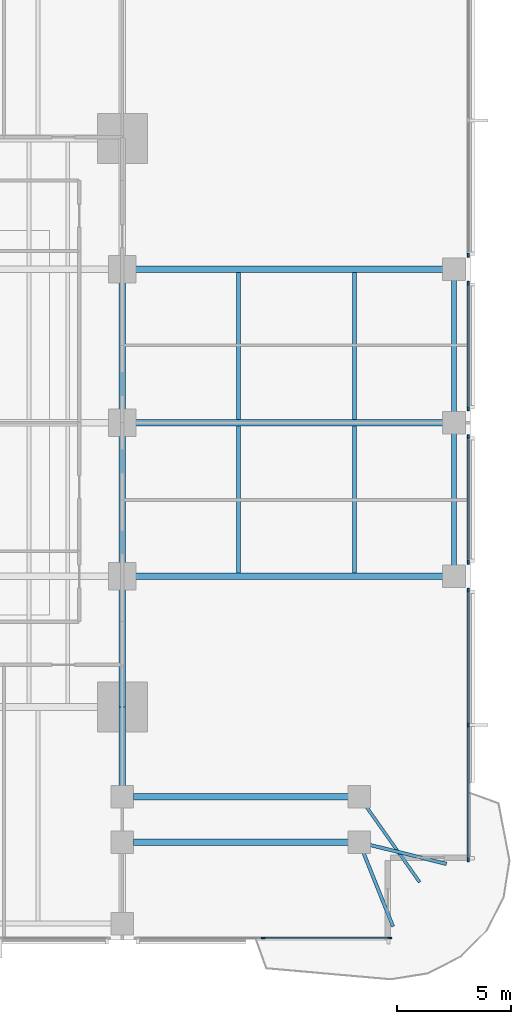
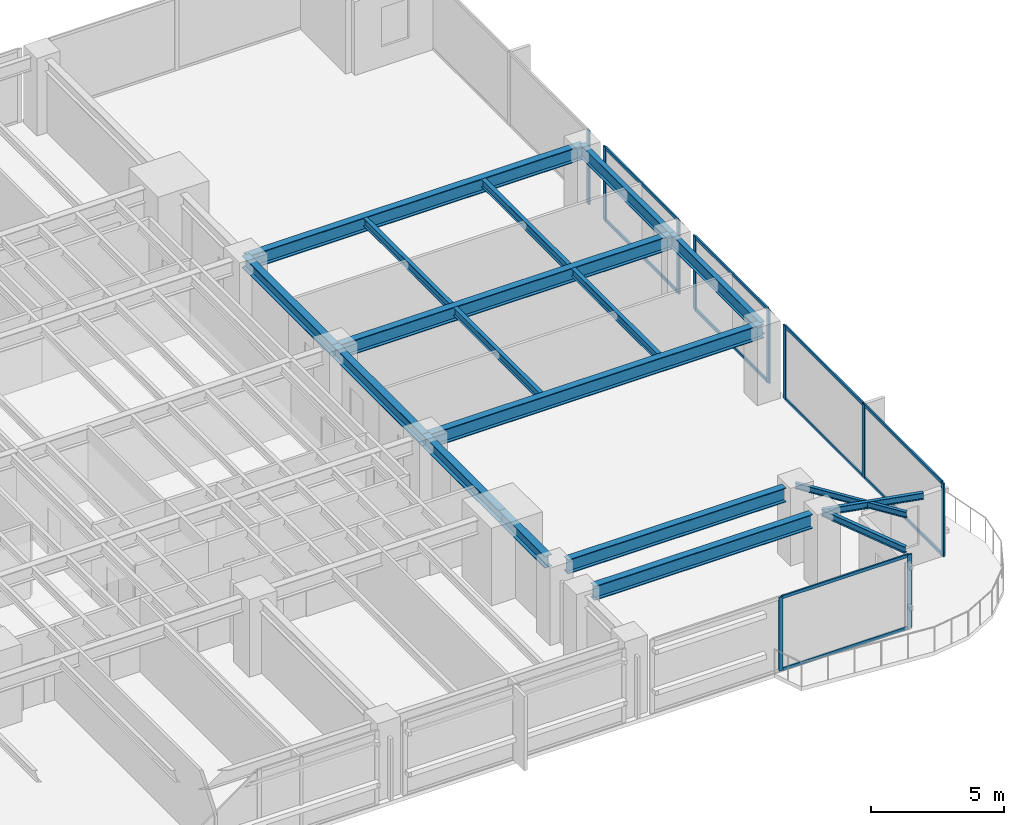
# One storey, part 4 of 15: 20 members, 18 beams, 5 elements without a shape of their own.
"""IFC4 building model written with IfcOpenShell, lengths in metres."""

from ifc_helpers import new_model, si_unit, direction, frame, origin, origin_2d, place, context, subcontext, project, spatial, rectangle, i_section, extrude, material, layer, layer_set, material_profile, profile_set, type_object, element, aggregate, save


model = new_model("IFC4")

# Units and contexts
model_context = context("Model", 3, precision=1e-05, world=origin(), true_north=direction((0.0, 1.0)))
body_context = subcontext(model_context, "Body", "Model", "MODEL_VIEW")
ifc_project = project(units=[si_unit("LENGTHUNIT", "METRE"), si_unit("AREAUNIT", "SQUARE_METRE"), si_unit("VOLUMEUNIT", "CUBIC_METRE"), si_unit("PLANEANGLEUNIT", "RADIAN"), si_unit("MASSUNIT", "GRAM", prefix="KILO")], contexts=[model_context])

# Site, building, storey
site_placement = place(None, origin())
site = spatial("IfcSite", under=ifc_project, at=site_placement, CompositionType="ELEMENT")
building_placement = place(site_placement, origin())
building = spatial("IfcBuilding", under=site, at=building_placement, Name="Kinhvarn Gate Tower", CompositionType="ELEMENT")
storey_placement = place(building_placement, frame((0.0, 0.0, 57.550048828125)))
storey = spatial("IfcBuildingStorey", under=building, at=storey_placement, Name="L14", CompositionType="ELEMENT", Elevation=57.550048828125)

# Curtain wall, members
ifc_material_1 = material(Name="Anodised aluminium AW-6063", Category="aluminium")
ifc_layer = layer(ifc_material_1, 0.179931640625)
ifc_layer_set = layer_set([ifc_layer], Name="Anodised aluminium AW-6063")
curtain_wall_type = type_object("IfcCurtainWallType", Name="CW-SYS-2", PredefinedType="NOTDEFINED", material=ifc_layer_set)
curtain_wall_1_placement = place(storey_placement, origin())
curtain_wall_1 = element("IfcCurtainWall", 1, at=curtain_wall_1_placement, inside=storey, type_object=curtain_wall_type, Name="Curtain Wall CW2 (L14)", PredefinedType="NOTDEFINED")
ifc_material_profile_1 = material_profile(ifc_material_1, rectangle(XDim=0.070068359375, YDim=0.179931640625, at=origin_2d()), Name="ALU 70x180")
ifc_profile_set_1 = profile_set([ifc_material_profile_1], Name="Anodised aluminium AW-6063")
member_type_1 = type_object("IfcMemberType", Name="CW-MUL-180", PredefinedType="MULLION", material=ifc_profile_set_1)
member_1_placement = place(storey_placement, frame((44.389892578125, 2.590087890625, 0.0), z_axis=(0.0, 0.0, 1.0), x_axis=(0.0, 1.0, 0.0)))
member_1 = element("IfcMember", 2, at=member_1_placement, type_object=member_type_1, Name="CW2 mullion 2", PredefinedType="MULLION", context=body_context, shape_type="SweptSolid", body=[
    extrude(rectangle(XDim=0.070068359375, YDim=0.179931640625, at=origin_2d()), origin(), (0.0, 0.0, 1.0), 3.369873046875),
])
member_2_placement = place(storey_placement, frame((49.965087890625, 2.590087890625, 0.0), z_axis=(0.0, 0.0, 1.0), x_axis=(0.0, 1.0, 0.0)))
member_2 = element("IfcMember", 3, at=member_2_placement, type_object=member_type_1, Name="CW2 mullion 3", PredefinedType="MULLION", context=body_context, shape_type="SweptSolid", body=[
    extrude(rectangle(XDim=0.070068359375, YDim=0.179931640625, at=origin_2d()), origin(), (0.0, 0.0, 1.0), 3.369873046875),
])

curtain_wall_2_placement = place(storey_placement, origin())
curtain_wall_2 = element("IfcCurtainWall", 4, at=curtain_wall_2_placement, inside=storey, type_object=curtain_wall_type, Name="Curtain Wall CW2 (L14)", PredefinedType="NOTDEFINED")
member_3_placement = place(storey_placement, frame((53.409912109375, 6.034912109375, 0.0), z_axis=(0.0, 0.0, 1.0), x_axis=(-1.0, 0.0, 0.0)))
member_3 = element("IfcMember", 5, at=member_3_placement, type_object=member_type_1, Name="CW2 mullion 1", PredefinedType="MULLION", context=body_context, shape_type="SweptSolid", body=[
    extrude(rectangle(XDim=0.070068359375, YDim=0.179931640625, at=origin_2d()), origin(), (0.0, 0.0, 1.0), 3.369873046875),
])
member_4_placement = place(storey_placement, frame((53.409912109375, 11.9599609375, 0.0), z_axis=(0.0, 0.0, 1.0), x_axis=(-1.0, 0.0, 0.0)))
member_4 = element("IfcMember", 6, at=member_4_placement, type_object=member_type_1, Name="CW2 mullion 2", PredefinedType="MULLION", context=body_context, shape_type="SweptSolid", body=[
    extrude(rectangle(XDim=0.070068359375, YDim=0.179931640625, at=origin_2d()), origin(), (0.0, 0.0, 1.0), 3.369873046875),
])
member_5_placement = place(storey_placement, frame((53.409912109375, 17.885009765625, 0.0), z_axis=(0.0, 0.0, 1.0), x_axis=(-1.0, 0.0, 0.0)))
member_5 = element("IfcMember", 7, at=member_5_placement, type_object=member_type_1, Name="CW2 mullion 3", PredefinedType="MULLION", context=body_context, shape_type="SweptSolid", body=[
    extrude(rectangle(XDim=0.070068359375, YDim=0.179931640625, at=origin_2d()), origin(), (0.0, 0.0, 1.0), 3.369873046875),
])

curtain_wall_3_placement = place(storey_placement, origin())
curtain_wall_3 = element("IfcCurtainWall", 8, at=curtain_wall_3_placement, inside=storey, type_object=curtain_wall_type, Name="Curtain Wall CW2 (L14)", PredefinedType="NOTDEFINED")
member_6_placement = place(storey_placement, frame((53.409912109375, 19.114990234375, 0.0), z_axis=(0.0, 0.0, 1.0), x_axis=(-1.0, 0.0, 0.0)))
member_6 = element("IfcMember", 9, at=member_6_placement, type_object=member_type_1, Name="CW2 mullion 1", PredefinedType="MULLION", context=body_context, shape_type="SweptSolid", body=[
    extrude(rectangle(XDim=0.070068359375, YDim=0.179931640625, at=origin_2d()), origin(), (0.0, 0.0, 1.0), 3.369873046875),
])
member_7_placement = place(storey_placement, frame((53.409912109375, 24.635009765625, 0.0), z_axis=(0.0, 0.0, 1.0), x_axis=(-1.0, 0.0, 0.0)))
member_7 = element("IfcMember", 10, at=member_7_placement, type_object=member_type_1, Name="CW2 mullion 2", PredefinedType="MULLION", context=body_context, shape_type="SweptSolid", body=[
    extrude(rectangle(XDim=0.070068359375, YDim=0.179931640625, at=origin_2d()), origin(), (0.0, 0.0, 1.0), 3.369873046875),
])

curtain_wall_4_placement = place(storey_placement, origin())
curtain_wall_4 = element("IfcCurtainWall", 11, at=curtain_wall_4_placement, inside=storey, type_object=curtain_wall_type, Name="Curtain Wall CW2 (L14)", PredefinedType="NOTDEFINED")
member_8_placement = place(storey_placement, frame((53.409912109375, 25.864990234375, 0.0), z_axis=(0.0, 0.0, 1.0), x_axis=(-1.0, 0.0, 0.0)))
member_8 = element("IfcMember", 12, at=member_8_placement, type_object=member_type_1, Name="CW2 mullion 1", PredefinedType="MULLION", context=body_context, shape_type="SweptSolid", body=[
    extrude(rectangle(XDim=0.070068359375, YDim=0.179931640625, at=origin_2d()), origin(), (0.0, 0.0, 1.0), 3.369873046875),
])
member_9_placement = place(storey_placement, frame((53.409912109375, 31.385009765625, 0.0), z_axis=(0.0, 0.0, 1.0), x_axis=(-1.0, 0.0, 0.0)))
member_9 = element("IfcMember", 13, at=member_9_placement, type_object=member_type_1, Name="CW2 mullion 2", PredefinedType="MULLION", context=body_context, shape_type="SweptSolid", body=[
    extrude(rectangle(XDim=0.070068359375, YDim=0.179931640625, at=origin_2d()), origin(), (0.0, 0.0, 1.0), 3.369873046875),
])

# Curtain wall, member
curtain_wall_5_placement = place(storey_placement, origin())
curtain_wall_5 = element("IfcCurtainWall", 14, at=curtain_wall_5_placement, inside=storey, type_object=curtain_wall_type, Name="Curtain Wall CW2 (L14)", PredefinedType="NOTDEFINED")
member_10_placement = place(storey_placement, frame((53.409912109375, 32.614990234375, 0.0), z_axis=(0.0, 0.0, 1.0), x_axis=(-1.0, 0.0, 0.0)))
member_10 = element("IfcMember", 15, at=member_10_placement, type_object=member_type_1, Name="CW2 mullion 1", PredefinedType="MULLION", context=body_context, shape_type="SweptSolid", body=[
    extrude(rectangle(XDim=0.070068359375, YDim=0.179931640625, at=origin_2d()), origin(), (0.0, 0.0, 1.0), 3.369873046875),
])
aggregate(curtain_wall_5, [member_10])

# Member
ifc_material_profile_2 = material_profile(ifc_material_1, rectangle(XDim=0.070068359375, YDim=0.139892578125, at=origin_2d()), Name="ALU 70x140")
ifc_profile_set_2 = profile_set([ifc_material_profile_2], Name="Anodised aluminium AW-6063")
member_type_2 = type_object("IfcMemberType", Name="CW-TRN-140", PredefinedType="USERDEFINED", material=ifc_profile_set_2)
member_11_placement = place(storey_placement, frame((44.425048828125, 2.590087890625, 0.034912109375), z_axis=(1.0, 0.0, 0.0), x_axis=(0.0, 1.0, 0.0)))
member_11 = element("IfcMember", 16, at=member_11_placement, type_object=member_type_2, Name="CW2 transom 2.1", ObjectType="TRANSOM", PredefinedType="USERDEFINED", context=body_context, shape_type="SweptSolid", body=[
    extrude(rectangle(XDim=0.070068359375, YDim=0.139892578125, at=origin_2d()), origin(), (0.0, 0.0, 1.0), 5.5048828125),
])

member_12_placement = place(storey_placement, frame((44.425048828125, 2.590087890625, 3.3349609375), z_axis=(1.0, 0.0, 0.0), x_axis=(0.0, 1.0, 0.0)))
member_12 = element("IfcMember", 17, at=member_12_placement, type_object=member_type_2, Name="CW2 transom 2.2", ObjectType="TRANSOM", PredefinedType="USERDEFINED", context=body_context, shape_type="SweptSolid", body=[
    extrude(rectangle(XDim=0.070068359375, YDim=0.139892578125, at=origin_2d()), origin(), (0.0, 0.0, 1.0), 5.5048828125),
])

aggregate(curtain_wall_1, [member_1, member_2, member_11, member_12])

member_13_placement = place(storey_placement, frame((53.409912109375, 6.070068359375, 0.034912109375), z_axis=(0.0, 1.0, 0.0), x_axis=(-1.0, 0.0, 0.0)))
member_13 = element("IfcMember", 18, at=member_13_placement, type_object=member_type_2, Name="CW2 transom 1.1", ObjectType="TRANSOM", PredefinedType="USERDEFINED", context=body_context, shape_type="SweptSolid", body=[
    extrude(rectangle(XDim=0.070068359375, YDim=0.139892578125, at=origin_2d()), origin(), (0.0, 0.0, 1.0), 5.85498046875),
])

member_14_placement = place(storey_placement, frame((53.409912109375, 6.070068359375, 3.3349609375), z_axis=(0.0, 1.0, 0.0), x_axis=(-1.0, 0.0, 0.0)))
member_14 = element("IfcMember", 19, at=member_14_placement, type_object=member_type_2, Name="CW2 transom 1.2", ObjectType="TRANSOM", PredefinedType="USERDEFINED", context=body_context, shape_type="SweptSolid", body=[
    extrude(rectangle(XDim=0.070068359375, YDim=0.139892578125, at=origin_2d()), origin(), (0.0, 0.0, 1.0), 5.85498046875),
])

member_15_placement = place(storey_placement, frame((53.409912109375, 11.9951171875, 0.034912109375), z_axis=(0.0, 1.0, 0.0), x_axis=(-1.0, 0.0, 0.0)))
member_15 = element("IfcMember", 20, at=member_15_placement, type_object=member_type_2, Name="CW2 transom 2.1", ObjectType="TRANSOM", PredefinedType="USERDEFINED", context=body_context, shape_type="SweptSolid", body=[
    extrude(rectangle(XDim=0.070068359375, YDim=0.139892578125, at=origin_2d()), origin(), (0.0, 0.0, 1.0), 5.85498046875),
])

member_16_placement = place(storey_placement, frame((53.409912109375, 11.9951171875, 3.3349609375), z_axis=(0.0, 1.0, 0.0), x_axis=(-1.0, 0.0, 0.0)))
member_16 = element("IfcMember", 21, at=member_16_placement, type_object=member_type_2, Name="CW2 transom 2.2", ObjectType="TRANSOM", PredefinedType="USERDEFINED", context=body_context, shape_type="SweptSolid", body=[
    extrude(rectangle(XDim=0.070068359375, YDim=0.139892578125, at=origin_2d()), origin(), (0.0, 0.0, 1.0), 5.85498046875),
])

aggregate(curtain_wall_2, [member_3, member_4, member_5, member_13, member_14, member_15, member_16])

member_17_placement = place(storey_placement, frame((53.409912109375, 19.14990234375, 0.034912109375), z_axis=(0.0, 1.0, 0.0), x_axis=(-1.0, 0.0, 0.0)))
member_17 = element("IfcMember", 22, at=member_17_placement, type_object=member_type_2, Name="CW2 transom 1.1", ObjectType="TRANSOM", PredefinedType="USERDEFINED", context=body_context, shape_type="SweptSolid", body=[
    extrude(rectangle(XDim=0.070068359375, YDim=0.139892578125, at=origin_2d()), origin(), (0.0, 0.0, 1.0), 5.4501953125),
])

member_18_placement = place(storey_placement, frame((53.409912109375, 19.14990234375, 3.3349609375), z_axis=(0.0, 1.0, 0.0), x_axis=(-1.0, 0.0, 0.0)))
member_18 = element("IfcMember", 23, at=member_18_placement, type_object=member_type_2, Name="CW2 transom 1.2", ObjectType="TRANSOM", PredefinedType="USERDEFINED", context=body_context, shape_type="SweptSolid", body=[
    extrude(rectangle(XDim=0.070068359375, YDim=0.139892578125, at=origin_2d()), origin(), (0.0, 0.0, 1.0), 5.4501953125),
])

aggregate(curtain_wall_3, [member_6, member_7, member_17, member_18])

member_19_placement = place(storey_placement, frame((53.409912109375, 25.89990234375, 0.034912109375), z_axis=(0.0, 1.0, 0.0), x_axis=(-1.0, 0.0, 0.0)))
member_19 = element("IfcMember", 24, at=member_19_placement, type_object=member_type_2, Name="CW2 transom 1.1", ObjectType="TRANSOM", PredefinedType="USERDEFINED", context=body_context, shape_type="SweptSolid", body=[
    extrude(rectangle(XDim=0.070068359375, YDim=0.139892578125, at=origin_2d()), origin(), (0.0, 0.0, 1.0), 5.4501953125),
])

member_20_placement = place(storey_placement, frame((53.409912109375, 25.89990234375, 3.3349609375), z_axis=(0.0, 1.0, 0.0), x_axis=(-1.0, 0.0, 0.0)))
member_20 = element("IfcMember", 25, at=member_20_placement, type_object=member_type_2, Name="CW2 transom 1.2", ObjectType="TRANSOM", PredefinedType="USERDEFINED", context=body_context, shape_type="SweptSolid", body=[
    extrude(rectangle(XDim=0.070068359375, YDim=0.139892578125, at=origin_2d()), origin(), (0.0, 0.0, 1.0), 5.4501953125),
])

aggregate(curtain_wall_4, [member_8, member_9, member_19, member_20])

# Beams
ifc_material_2 = material(Name="Steel S355", Category="steel")
ifc_material_profile_3 = material_profile(ifc_material_2, i_section(OverallWidth=0.300048828125, OverallDepth=0.550048828125, WebThickness=0.014892578125, FlangeThickness=0.029052734375, at=origin_2d()), Name="HEB 550")
ifc_profile_set_3 = profile_set([ifc_material_profile_3], Name="Steel S355")
beam_type_1 = type_object("IfcBeamType", Name="STL-HEB550", PredefinedType="BEAM", material=ifc_profile_set_3)
beam_1_placement = place(storey_placement, frame((38.199951171875, 9.284912109375, 3.094970703125), z_axis=(0.0, 1.0, 0.0), x_axis=(-1.0, 0.0, 0.0)))
element("IfcBeam", 26, at=beam_1_placement, inside=storey, type_object=beam_type_1, Name="Floor Beam PG-15 (L14 MCE-S-A2)", PredefinedType="BEAM", context=body_context, shape_type="SweptSolid", body=[
    extrude(i_section(OverallWidth=0.300048828125, OverallDepth=0.550048828125, WebThickness=0.014892578125, FlangeThickness=0.029052734375, at=origin_2d()), origin(), (0.0, 0.0, 1.0), 3.465087890625),
])
beam_2_placement = place(storey_placement, frame((38.199951171875, 12.75, 3.094970703125), z_axis=(0.0, 1.0, 0.0), x_axis=(-1.0, 0.0, 0.0)))
element("IfcBeam", 27, at=beam_2_placement, inside=storey, type_object=beam_type_1, Name="Floor Beam PG-15 (L14 MG-E-12)", PredefinedType="BEAM", context=body_context, shape_type="SweptSolid", body=[
    extrude(i_section(OverallWidth=0.300048828125, OverallDepth=0.550048828125, WebThickness=0.014892578125, FlangeThickness=0.029052734375, at=origin_2d()), origin(), (0.0, 0.0, 1.0), 5.75),
])
for number, where, z_axis, x_axis, name in (
    (28, (38.199951171875, 18.5, 3.094970703125), (0.0, 1.0, 0.0), (-1.0, 0.0, 0.0), "Floor Beam PG-15 (L14 MG-E-18)"),
    (29, (38.199951171875, 25.25, 3.094970703125), (0.0, 1.0, 0.0), (-1.0, 0.0, 0.0), "Floor Beam PG-15 (L14 MG-E-25)"),
):
    element("IfcBeam", number, at=place(storey_placement, frame(where, z_axis=z_axis, x_axis=x_axis)), inside=storey, type_object=beam_type_1, Name=name, PredefinedType="BEAM", context=body_context, shape_type="SweptSolid", body=[
        extrude(i_section(OverallWidth=0.300048828125, OverallDepth=0.550048828125, WebThickness=0.014892578125, FlangeThickness=0.029052734375, at=origin_2d()), origin(), (0.0, 0.0, 1.0), 6.75),
    ])
ifc_material_profile_4 = material_profile(ifc_material_2, i_section(OverallWidth=0.300048828125, OverallDepth=0.64990234375, WebThickness=0.01611328125, FlangeThickness=0.031005859375, at=origin_2d()), Name="HEB 650")
ifc_profile_set_4 = profile_set([ifc_material_profile_4], Name="Steel S355")
beam_type_2 = type_object("IfcBeamType", Name="STL-HEB650", PredefinedType="BEAM", material=ifc_profile_set_4)
for number, where, z_axis, x_axis, name in (
    (30, (38.68505859375, 8.800048828125, 3.044921875), (1.0, 0.0, 0.0), (0.0, 1.0, 0.0), "Floor Beam PG-17 (L14 SP-SE1B)"),
    (31, (38.68505859375, 6.800048828125, 3.044921875), (1.0, 0.0, 0.0), (0.0, 1.0, 0.0), "Floor Beam PG-17 (L14 SP-SE1A)"),
):
    element("IfcBeam", number, at=place(storey_placement, frame(where, z_axis=z_axis, x_axis=x_axis)), inside=storey, type_object=beam_type_2, Name=name, PredefinedType="BEAM", context=body_context, shape_type="SweptSolid", body=[
        extrude(i_section(OverallWidth=0.300048828125, OverallDepth=0.64990234375, WebThickness=0.01611328125, FlangeThickness=0.031005859375, at=origin_2d()), origin(), (0.0, 0.0, 1.0), 9.449951171875),
    ])
for number, where, z_axis, x_axis, name in (
    (32, (38.199951171875, 18.5, 3.044921875), (1.0, 0.0, 0.0), (0.0, 1.0, 0.0), "Floor Beam PG-17 (L14 EW2-Y18)"),
    (33, (38.199951171875, 25.25, 3.044921875), (1.0, 0.0, 0.0), (0.0, 1.0, 0.0), "Floor Beam PG-17 (L14 EW2-Y25)"),
    (34, (38.199951171875, 32.0, 3.044921875), (1.0, 0.0, 0.0), (0.0, 1.0, 0.0), "Floor Beam PG-17 (L14 EW2-Y32)"),
):
    element("IfcBeam", number, at=place(storey_placement, frame(where, z_axis=z_axis, x_axis=x_axis)), inside=storey, type_object=beam_type_2, Name=name, PredefinedType="BEAM", context=body_context, shape_type="SweptSolid", body=[
        extrude(i_section(OverallWidth=0.300048828125, OverallDepth=0.64990234375, WebThickness=0.01611328125, FlangeThickness=0.031005859375, at=origin_2d()), origin(), (0.0, 0.0, 1.0), 14.580078125),
    ])
ifc_material_profile_5 = material_profile(ifc_material_2, i_section(OverallWidth=0.135009765625, OverallDepth=0.27001953125, WebThickness=0.006591796875, FlangeThickness=0.01025390625, at=origin_2d()), Name="IPE 270")
ifc_profile_set_5 = profile_set([ifc_material_profile_5], Name="Steel S355")
beam_type_3 = type_object("IfcBeamType", Name="STL-IPE270", PredefinedType="JOIST", material=ifc_profile_set_5)
beam_3_placement = place(storey_placement, frame((48.6201171875, 8.800048828125, 3.23486328125), z_axis=(0.57709644225, -0.81667600451, 0.0), x_axis=(0.81667600451, 0.57709644225, 0.0)))
element("IfcBeam", 35, at=beam_3_placement, inside=storey, type_object=beam_type_3, Name="Floor Joist SB-01 (L14 BAL-B3-L15)", PredefinedType="JOIST", context=body_context, shape_type="SweptSolid", body=[
    extrude(i_section(OverallWidth=0.135009765625, OverallDepth=0.27001953125, WebThickness=0.006591796875, FlangeThickness=0.01025390625, at=origin_2d()), origin(), (0.0, 0.0, 1.0), 4.591796875),
])
ifc_material_profile_6 = material_profile(ifc_material_2, i_section(OverallWidth=0.14990234375, OverallDepth=0.300048828125, WebThickness=0.007080078125, FlangeThickness=0.0107421875, at=origin_2d()), Name="IPE 300")
ifc_profile_set_6 = profile_set([ifc_material_profile_6], Name="Steel S355")
beam_type_4 = type_object("IfcBeamType", Name="STL-IPE300", PredefinedType="JOIST", material=ifc_profile_set_6)
beam_4_placement = place(storey_placement, frame((48.6201171875, 6.800048828125, 3.219970703125), z_axis=(0.97058851083, -0.240744558911, 0.0), x_axis=(0.240744558911, 0.97058851083, 0.0)))
element("IfcBeam", 36, at=beam_4_placement, inside=storey, type_object=beam_type_4, Name="Floor Joist SB-02 (L14 BAL-B1-L15)", PredefinedType="JOIST", context=body_context, shape_type="SweptSolid", body=[
    extrude(i_section(OverallWidth=0.14990234375, OverallDepth=0.300048828125, WebThickness=0.007080078125, FlangeThickness=0.0107421875, at=origin_2d()), origin(), (0.0, 0.0, 1.0), 3.94580078125),
])
beam_5_placement = place(storey_placement, frame((48.6201171875, 6.800048828125, 3.219970703125), z_axis=(0.371390676354, -0.928476690885, 0.0), x_axis=(0.928476690885, 0.371390676354, 0.0)))
element("IfcBeam", 37, at=beam_5_placement, inside=storey, type_object=beam_type_4, Name="Floor Joist SB-02 (L14 BAL-B2-L15)", PredefinedType="JOIST", context=body_context, shape_type="SweptSolid", body=[
    extrude(i_section(OverallWidth=0.14990234375, OverallDepth=0.300048828125, WebThickness=0.007080078125, FlangeThickness=0.0107421875, at=origin_2d()), origin(), (0.0, 0.0, 1.0), 3.98486328125),
])
ifc_material_profile_7 = material_profile(ifc_material_2, i_section(OverallWidth=0.169921875, OverallDepth=0.360107421875, WebThickness=0.008056640625, FlangeThickness=0.0126953125, at=origin_2d()), Name="IPE 360")
ifc_profile_set_7 = profile_set([ifc_material_profile_7], Name="Steel S355")
beam_type_5 = type_object("IfcBeamType", Name="STL-IPE360", PredefinedType="JOIST", material=ifc_profile_set_7)
for number, where, z_axis, x_axis, name in (
    (38, (43.300048828125, 18.64990234375, 3.18994140625), (0.0, 1.0, 0.0), (-1.0, 0.0, 0.0), "Floor Joist SB-04 (L14 JC-X433-1)"),
    (39, (43.300048828125, 25.39990234375, 3.18994140625), (0.0, 1.0, 0.0), (-1.0, 0.0, 0.0), "Floor Joist SB-04 (L14 JC-X433-2)"),
    (40, (48.409912109375, 18.64990234375, 3.18994140625), (0.0, 1.0, 0.0), (-1.0, 0.0, 0.0), "Floor Joist SB-04 (L14 JC-X484-1)"),
    (41, (48.409912109375, 25.39990234375, 3.18994140625), (0.0, 1.0, 0.0), (-1.0, 0.0, 0.0), "Floor Joist SB-04 (L14 JC-X484-2)"),
):
    element("IfcBeam", number, at=place(storey_placement, frame(where, z_axis=z_axis, x_axis=x_axis)), inside=storey, type_object=beam_type_5, Name=name, PredefinedType="JOIST", context=body_context, shape_type="SweptSolid", body=[
        extrude(i_section(OverallWidth=0.169921875, OverallDepth=0.360107421875, WebThickness=0.008056640625, FlangeThickness=0.0126953125, at=origin_2d()), origin(), (0.0, 0.0, 1.0), 6.4501953125),
    ])
ifc_material_profile_8 = material_profile(ifc_material_2, i_section(OverallWidth=0.219970703125, OverallDepth=0.60009765625, WebThickness=0.011962890625, FlangeThickness=0.01904296875, at=origin_2d()), Name="IPE 600")
ifc_profile_set_8 = profile_set([ifc_material_profile_8], Name="Steel S355")
beam_type_6 = type_object("IfcBeamType", Name="STL-IPE600", PredefinedType="SPANDREL", material=ifc_profile_set_8)
for number, where, z_axis, x_axis, name in (
    (42, (52.780029296875, 18.5, 3.070068359375), (0.0, 1.0, 0.0), (-1.0, 0.0, 0.0), "Floor Spandrel SB-09 (L14 SP-E2)"),
    (43, (52.780029296875, 25.25, 3.070068359375), (0.0, 1.0, 0.0), (-1.0, 0.0, 0.0), "Floor Spandrel SB-09 (L14 SP-E3)"),
):
    element("IfcBeam", number, at=place(storey_placement, frame(where, z_axis=z_axis, x_axis=x_axis)), inside=storey, type_object=beam_type_6, Name=name, PredefinedType="SPANDREL", context=body_context, shape_type="SweptSolid", body=[
        extrude(i_section(OverallWidth=0.219970703125, OverallDepth=0.60009765625, WebThickness=0.011962890625, FlangeThickness=0.01904296875, at=origin_2d()), origin(), (0.0, 0.0, 1.0), 6.75),
    ])

save(model, "model.ifc")
